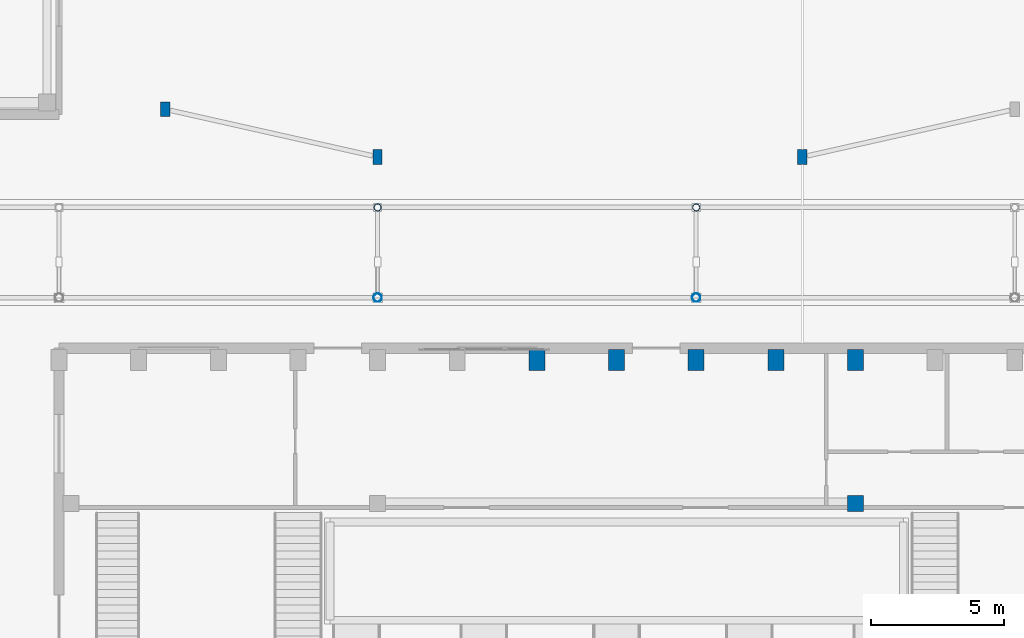
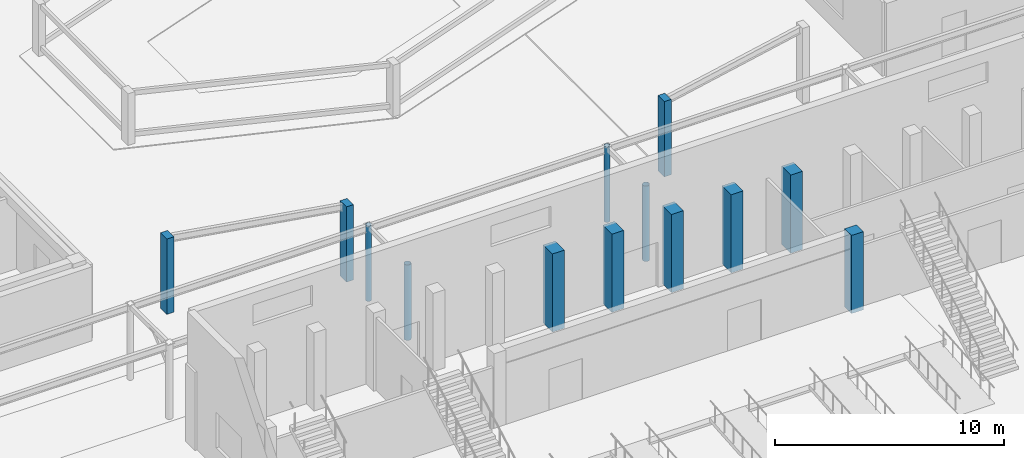
# One storey, part 6 of 114: 13 columns.
"""IFC4 building model written with IfcOpenShell, lengths in metres."""

from ifc_helpers import new_model, si_unit, direction, frame, origin, origin_2d, place, context, subcontext, project, spatial, rectangle, hollow_circle, extrude, material, material_profile, profile_set, type_object, element, save


model = new_model("IFC4")

# Units and contexts
model_context = context("Model", 3, precision=1e-05, world=origin(), true_north=direction((0.0, 1.0)))
body_context = subcontext(model_context, "Body", "Model", "MODEL_VIEW")
ifc_project = project(units=[si_unit("LENGTHUNIT", "METRE"), si_unit("AREAUNIT", "SQUARE_METRE"), si_unit("VOLUMEUNIT", "CUBIC_METRE"), si_unit("PLANEANGLEUNIT", "RADIAN"), si_unit("MASSUNIT", "GRAM", prefix="KILO")], contexts=[model_context])

# Site, building, storey
site_placement = place(None, origin())
site = spatial("IfcSite", under=ifc_project, at=site_placement, CompositionType="ELEMENT")
building_placement = place(site_placement, origin())
building = spatial("IfcBuilding", under=site, at=building_placement, Name="Keldmere Railside Commons", CompositionType="ELEMENT")
storey_placement = place(building_placement, origin())
storey = spatial("IfcBuildingStorey", under=building, at=storey_placement, Name="L00", CompositionType="ELEMENT", Elevation=0.0)

# Columns
ifc_material_1 = material(Name="Steel F-36 (S355)", Category="steel")
ifc_material_profile_1 = material_profile(ifc_material_1, hollow_circle(Radius=0.162109375, WallThickness=0.011962890625, at=origin_2d()), Name="CHS-324x12")
ifc_profile_set_1 = profile_set([ifc_material_profile_1], Name="Steel F-36 (S355)")
column_type_1 = type_object("IfcColumnType", Name="Colonnade Gallery Steel Column CHS324", PredefinedType="COLUMN", material=ifc_profile_set_1)
for number, where, z_axis, x_axis, name in (
    (1, (76.0, 49.10009765625, 0.0), (0.0, 0.0, 1.0), (1.0, 0.0, 0.0), "SC-1 COL-L00-0738"),
    (2, (88.0, 49.10009765625, 0.0), (0.0, 0.0, 1.0), (1.0, 0.0, 0.0), "SC-1 COL-L00-0794"),
):
    element("IfcColumn", number, at=place(storey_placement, frame(where, z_axis=z_axis, x_axis=x_axis)), inside=storey, type_object=column_type_1, Name=name, PredefinedType="COLUMN", context=body_context, shape_type="SweptSolid", body=[
        extrude(hollow_circle(Radius=0.162109375, WallThickness=0.011962890625, at=origin_2d()), origin(), (0.0, 0.0, 1.0), 4.010009765625),
    ])
ifc_material_2 = material(Name="Concrete H-40 (C40/50)", Category="concrete")
ifc_material_profile_2 = material_profile(ifc_material_2, rectangle(XDim=0.60009765625, YDim=0.800048828125, at=origin_2d()), Name="RC-600x800")
ifc_profile_set_2 = profile_set([ifc_material_profile_2], Name="Concrete H-40 (C40/50)")
column_type_2 = type_object("IfcColumnType", Name="Community Hall Pier Column 600x800", PredefinedType="COLUMN", material=ifc_profile_set_2)
for number, where, z_axis, x_axis, name in (
    (3, (82.0, 46.75, 0.0), (0.0, 0.0, 1.0), (1.0, 0.0, 0.0), "C-HALL COL-L00-0772"),
    (4, (85.0, 46.75, 0.0), (0.0, 0.0, 1.0), (1.0, 0.0, 0.0), "C-HALL COL-L00-0785"),
    (5, (88.0, 46.75, 0.0), (0.0, 0.0, 1.0), (1.0, 0.0, 0.0), "C-HALL COL-L00-0791"),
    (6, (91.0, 46.75, 0.0), (0.0, 0.0, 1.0), (1.0, 0.0, 0.0), "C-HALL COL-L00-0805"),
    (7, (94.0, 46.75, 0.0), (0.0, 0.0, 1.0), (1.0, 0.0, 0.0), "C-HALL COL-L00-0851"),
):
    element("IfcColumn", number, at=place(storey_placement, frame(where, z_axis=z_axis, x_axis=x_axis)), inside=storey, type_object=column_type_2, Name=name, PredefinedType="COLUMN", context=body_context, shape_type="SweptSolid", body=[
        extrude(rectangle(XDim=0.60009765625, YDim=0.800048828125, at=origin_2d()), origin(), (0.0, 0.0, 1.0), 4.159912109375),
    ])
ifc_material_profile_3 = material_profile(ifc_material_1, hollow_circle(Radius=0.136474609375, WallThickness=0.010009765625, at=origin_2d()), Name="CHS-273x10")
ifc_profile_set_3 = profile_set([ifc_material_profile_3], Name="Steel F-36 (S355)")
column_type_3 = type_object("IfcColumnType", Name="Entrance Canopy Steel Column CHS273", PredefinedType="COLUMN", material=ifc_profile_set_3)
for number, where, z_axis, x_axis, name in (
    (8, (76.0, 52.5, 0.0), (0.0, 0.0, 1.0), (1.0, 0.0, 0.0), "SC-2 COL-L00-0740"),
    (9, (88.0, 52.5, 0.0), (0.0, 0.0, 1.0), (1.0, 0.0, 0.0), "SC-2 COL-L00-0796"),
):
    element("IfcColumn", number, at=place(storey_placement, frame(where, z_axis=z_axis, x_axis=x_axis)), inside=storey, type_object=column_type_3, Name=name, PredefinedType="COLUMN", context=body_context, shape_type="SweptSolid", body=[
        extrude(hollow_circle(Radius=0.136474609375, WallThickness=0.010009765625, at=origin_2d()), origin(), (0.0, 0.0, 1.0), 4.010009765625),
    ])
ifc_material_3 = material(Name="Architectural Precast Concrete H-35 (C35/45)", Category="concrete")
ifc_material_profile_4 = material_profile(ifc_material_3, rectangle(XDim=0.35009765625, YDim=0.550048828125, at=origin_2d()), Name="RC-350x550")
ifc_profile_set_4 = profile_set([ifc_material_profile_4], Name="Architectural Precast Concrete H-35 (C35/45)")
column_type_4 = type_object("IfcColumnType", Name="Facade Precast Pilaster Column 350x550", PredefinedType="PILASTER", material=ifc_profile_set_4)
for number, where, z_axis, x_axis, name in (
    (10, (68.0, 56.199951171875, 0.0), (0.0, 0.0, 1.0), (1.0, 0.0, 0.0), "C-PIL COL-L00-0677"),
    (11, (76.0, 54.39990234375, 0.0), (0.0, 0.0, 1.0), (1.0, 0.0, 0.0), "C-PIL COL-L00-0742"),
    (12, (92.0, 54.39990234375, 0.0), (0.0, 0.0, 1.0), (1.0, 0.0, 0.0), "C-PIL COL-L00-0808"),
):
    element("IfcColumn", number, at=place(storey_placement, frame(where, z_axis=z_axis, x_axis=x_axis)), inside=storey, type_object=column_type_4, Name=name, PredefinedType="PILASTER", context=body_context, shape_type="SweptSolid", body=[
        extrude(rectangle(XDim=0.35009765625, YDim=0.550048828125, at=origin_2d()), origin(), (0.0, 0.0, 1.0), 4.010009765625),
    ])
ifc_material_4 = material(Name="Concrete H-35 (C35/45)", Category="concrete")
ifc_material_profile_5 = material_profile(ifc_material_4, rectangle(XDim=0.60009765625, YDim=0.60009765625, at=origin_2d()), Name="RC-600x600")
ifc_profile_set_5 = profile_set([ifc_material_profile_5], Name="Concrete H-35 (C35/45)")
column_type_5 = type_object("IfcColumnType", Name="Mid-Rise RC Column 600x600", PredefinedType="COLUMN", material=ifc_profile_set_5)
column_placement = place(storey_placement, frame((94.0, 41.35009765625, 0.0), z_axis=(0.0, 0.0, 1.0), x_axis=(1.0, 0.0, 0.0)))
element("IfcColumn", 13, at=column_placement, inside=storey, type_object=column_type_5, Name="C-600 COL-L00-0849", PredefinedType="COLUMN", context=body_context, shape_type="SweptSolid", body=[
    extrude(rectangle(XDim=0.60009765625, YDim=0.60009765625, at=origin_2d()), origin(), (0.0, 0.0, 1.0), 4.159912109375),
])

save(model, "model.ifc")
